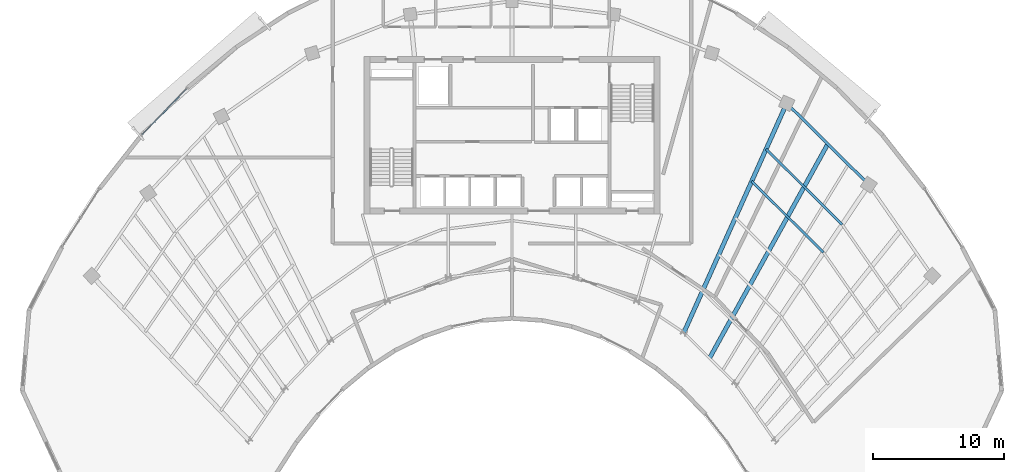
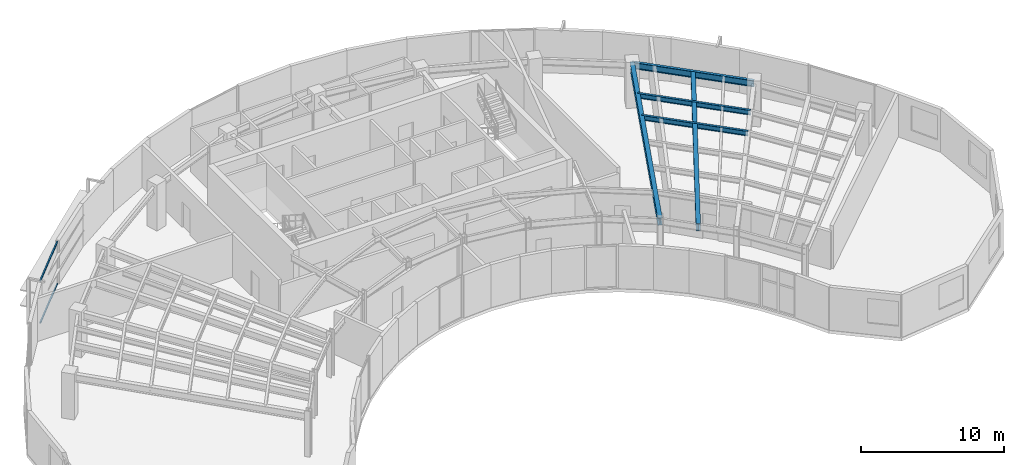
# One storey, part 4 of 13: 5 beams, 2 members, 1 element without a shape of its own.
"""IFC4 building model written with IfcOpenShell, lengths in metres."""

from ifc_helpers import new_model, si_unit, direction, frame, origin, origin_2d, place, context, subcontext, project, spatial, rectangle, i_section, extrude, source, transform, mapped, material, layer, layer_set, material_profile, profile_set, type_object, element, aggregate, save


model = new_model("IFC4")

# Units and contexts
model_context = context("Model", 3, precision=1e-05, world=origin(), true_north=direction((0.0, 1.0)))
body_context = subcontext(model_context, "Body", "Model", "MODEL_VIEW")
ifc_project = project(units=[si_unit("LENGTHUNIT", "METRE"), si_unit("AREAUNIT", "SQUARE_METRE"), si_unit("VOLUMEUNIT", "CUBIC_METRE"), si_unit("PLANEANGLEUNIT", "RADIAN"), si_unit("MASSUNIT", "GRAM", prefix="KILO")], contexts=[model_context])

# Site, building, storey
site_placement = place(None, origin())
site = spatial("IfcSite", under=ifc_project, at=site_placement, CompositionType="ELEMENT")
building_placement = place(site_placement, origin())
building = spatial("IfcBuilding", under=site, at=building_placement, Name="Breltana Convention Tower", CompositionType="ELEMENT")
storey_placement = place(building_placement, frame((0.0, 0.0, 227.39990234375)))
storey = spatial("IfcBuildingStorey", under=building, at=storey_placement, Name="L55", CompositionType="ELEMENT", Elevation=227.39990234375)

# Beams
ifc_material_1 = material(Name="Steel ASTM A992 Grade 50", Category="steel")
ifc_material_profile_1 = material_profile(ifc_material_1, i_section(OverallWidth=0.323974609375, OverallDepth=0.611083984375, WebThickness=0.0126953125, FlangeThickness=0.01904296875, at=origin_2d()), Name="W24X104")
ifc_profile_set_1 = profile_set([ifc_material_profile_1], Name="Steel ASTM A992 Grade 50")
beam_type_1 = type_object("IfcBeamType", Name="BM-JSG-01", PredefinedType="JOIST", material=ifc_profile_set_1)
shared_shape_1 = source(origin(), body_context, "Body", "SweptSolid", [
    extrude(i_section(OverallWidth=0.323974609375, OverallDepth=0.611083984375, WebThickness=0.0126953125, FlangeThickness=0.01904296875, at=origin_2d()), origin(), (0.0, 0.0, 1.0), 18.617431640625),
])
beam_1_placement = place(storey_placement, frame((63.038818359375, 49.234130859375, 3.344482421875), z_axis=(0.483405602507, 0.875396495004, 0.0), x_axis=(-0.875396495004, 0.483405602507, 0.0)))
element("IfcBeam", 1, at=beam_1_placement, inside=storey, type_object=beam_type_1, Name="L55 Mid-Bay Radial Trimmer 09", PredefinedType="JOIST", context=body_context, shape_type="MappedRepresentation", body=[
    mapped(shared_shape_1, transform((0.0, 0.0, 0.0), scale=1.0)),
])
ifc_material_profile_2 = material_profile(ifc_material_1, i_section(OverallWidth=0.326904296875, OverallDepth=0.6220703125, WebThickness=0.015380859375, FlangeThickness=0.0244140625, at=origin_2d()), Name="W24X131")
ifc_profile_set_2 = profile_set([ifc_material_profile_2], Name="Steel ASTM A992 Grade 50")
beam_type_2 = type_object("IfcBeamType", Name="BM-RG-W24X131", PredefinedType="USERDEFINED", material=ifc_profile_set_2)
shared_shape_2 = source(origin(), body_context, "Body", "SweptSolid", [
    extrude(i_section(OverallWidth=0.326904296875, OverallDepth=0.6220703125, WebThickness=0.015380859375, FlangeThickness=0.0244140625, at=origin_2d()), origin(), (0.0, 0.0, 1.0), 19.133544921875),
])
beam_2_placement = place(storey_placement, frame((61.08203125, 51.174560546875, 3.339111328125), z_axis=(0.409144564164, 0.912469575172, 0.0), x_axis=(-0.912469575172, 0.409144564164, 0.0)))
element("IfcBeam", 2, at=beam_2_placement, inside=storey, type_object=beam_type_2, Name="L55 Radial Floor Girder R09", ObjectType="GIRDER", PredefinedType="USERDEFINED", context=body_context, shape_type="MappedRepresentation", body=[
    mapped(shared_shape_2, transform((0.0, 0.0, 0.0), scale=1.0)),
])
ifc_material_profile_3 = material_profile(ifc_material_1, i_section(OverallWidth=0.214111328125, OverallDepth=0.549072265625, WebThickness=0.0146484375, FlangeThickness=0.023681640625, at=origin_2d()), Name="W21X93")
ifc_profile_set_3 = profile_set([ifc_material_profile_3], Name="Steel ASTM A992 Grade 50")
beam_type_3 = type_object("IfcBeamType", Name="BM-SP-W21X93", PredefinedType="SPANDREL", material=ifc_profile_set_3)
shared_shape_3 = source(origin(), body_context, "Body", "SweptSolid", [
    extrude(i_section(OverallWidth=0.214111328125, OverallDepth=0.549072265625, WebThickness=0.0146484375, FlangeThickness=0.023681640625, at=origin_2d()), origin(), (0.0, 0.0, 1.0), 8.810302734375),
])
beam_3_placement = place(storey_placement, frame((68.910400390625, 68.63330078125, 3.37548828125), z_axis=(0.710120823582, -0.704079836322, 0.0), x_axis=(0.704079836322, 0.710120823582, 0.0)))
element("IfcBeam", 3, at=beam_3_placement, inside=storey, type_object=beam_type_3, Name="L55 Outer Spandrel Beam 09", PredefinedType="SPANDREL", context=body_context, shape_type="MappedRepresentation", body=[
    mapped(shared_shape_3, transform((0.0, 0.0, 0.0), scale=1.0)),
])
ifc_material_profile_4 = material_profile(ifc_material_1, i_section(OverallWidth=0.179931640625, OverallDepth=0.4130859375, WebThickness=0.009765625, FlangeThickness=0.01611328125, at=origin_2d()), Name="W16X50")
ifc_profile_set_4 = profile_set([ifc_material_profile_4], Name="Steel ASTM A992 Grade 50")
beam_type_4 = type_object("IfcBeamType", Name="BM-JSG-08", PredefinedType="JOIST", material=ifc_profile_set_4)
shared_shape_4 = source(origin(), body_context, "Body", "SweptSolid", [
    extrude(i_section(OverallWidth=0.179931640625, OverallDepth=0.4130859375, WebThickness=0.009765625, FlangeThickness=0.01611328125, at=origin_2d()), origin(), (0.0, 0.0, 1.0), 7.688720703125),
])
beam_4_placement = place(storey_placement, frame((66.248779296875, 62.697265625, 3.443603515625), z_axis=(0.710101109809, -0.704099718682, 0.0), x_axis=(0.704099718682, 0.710101109809, 0.0)))
element("IfcBeam", 4, at=beam_4_placement, inside=storey, type_object=beam_type_4, Name="L55 Composite Floor Joist 09.4", PredefinedType="JOIST", context=body_context, shape_type="MappedRepresentation", body=[
    mapped(shared_shape_4, transform((0.0, 0.0, 0.0), scale=1.0)),
])
shared_shape_5 = source(origin(), body_context, "Body", "SweptSolid", [
    extrude(i_section(OverallWidth=0.179931640625, OverallDepth=0.4130859375, WebThickness=0.009765625, FlangeThickness=0.01611328125, at=origin_2d()), origin(), (0.0, 0.0, 1.0), 8.150634765625),
])
beam_5_placement = place(storey_placement, frame((67.3447265625, 65.1416015625, 3.443603515625), z_axis=(0.710110713096, -0.704090033409, 0.0), x_axis=(0.704090033409, 0.710110713096, 0.0)))
element("IfcBeam", 5, at=beam_5_placement, inside=storey, type_object=beam_type_4, Name="L55 Composite Floor Joist 09.5", PredefinedType="JOIST", context=body_context, shape_type="MappedRepresentation", body=[
    mapped(shared_shape_5, transform((0.0, 0.0, 0.0), scale=1.0)),
])

# Curtain wall, members
ifc_material_2 = material(Name="Aluminium Anodised Bronze Frame", Category="aluminium")
ifc_layer = layer(ifc_material_2, 0.219970703125, Name="Aluminium Anodised Bronze Frame")
ifc_layer_set = layer_set([ifc_layer], Name="Aluminium Anodised Bronze Frame")
curtain_wall_type = type_object("IfcCurtainWallType", Name="CW-SYS-4", PredefinedType="NOTDEFINED", material=ifc_layer_set)
curtain_wall_placement = place(storey_placement, origin())
curtain_wall = element("IfcCurtainWall", 6, at=curtain_wall_placement, inside=storey, type_object=curtain_wall_type, Name="L55 outer double-skin inner glazing 2", PredefinedType="NOTDEFINED")
ifc_material_3 = material(Name="Aluminium Anodised Bronze", Category="aluminium")
ifc_material_profile_5 = material_profile(ifc_material_3, rectangle(XDim=0.070068359375, YDim=0.1201171875, at=origin_2d()), Name="CWT-70X120")
ifc_profile_set_5 = profile_set([ifc_material_profile_5], Name="Aluminium Anodised Bronze")
member_type = type_object("IfcMemberType", Name="CWT-120", PredefinedType="USERDEFINED", material=ifc_profile_set_5)
shared_shape_6 = source(origin(), body_context, "Body", "SweptSolid", [
    extrude(rectangle(XDim=0.070068359375, YDim=0.1201171875, at=origin_2d()), origin(), (0.0, 0.0, 1.0), 4.8408203125),
])
member_1_placement = place(storey_placement, frame((19.85009765625, 66.247802734375, 0.03515625), z_axis=(0.694617014344, 0.719379735178, 0.0), x_axis=(-0.719379735178, 0.694617014344, 0.0)))
member_1 = element("IfcMember", 7, at=member_1_placement, type_object=member_type, Name="CW-04 transom 1.1", ObjectType="TRANSOM", PredefinedType="USERDEFINED", context=body_context, shape_type="MappedRepresentation", body=[
    mapped(shared_shape_6, transform((0.0, 0.0, 0.0), scale=1.0)),
])
member_2_placement = place(storey_placement, frame((19.85009765625, 66.247802734375, 3.614990234375), z_axis=(0.694617014344, 0.719379735178, 0.0), x_axis=(-0.719379735178, 0.694617014344, 0.0)))
member_2 = element("IfcMember", 8, at=member_2_placement, type_object=member_type, Name="CW-04 transom 1.2", ObjectType="TRANSOM", PredefinedType="USERDEFINED", context=body_context, shape_type="MappedRepresentation", body=[
    mapped(shared_shape_6, transform((0.0, 0.0, 0.0), scale=1.0)),
])
aggregate(curtain_wall, [member_1, member_2])

save(model, "model.ifc")
